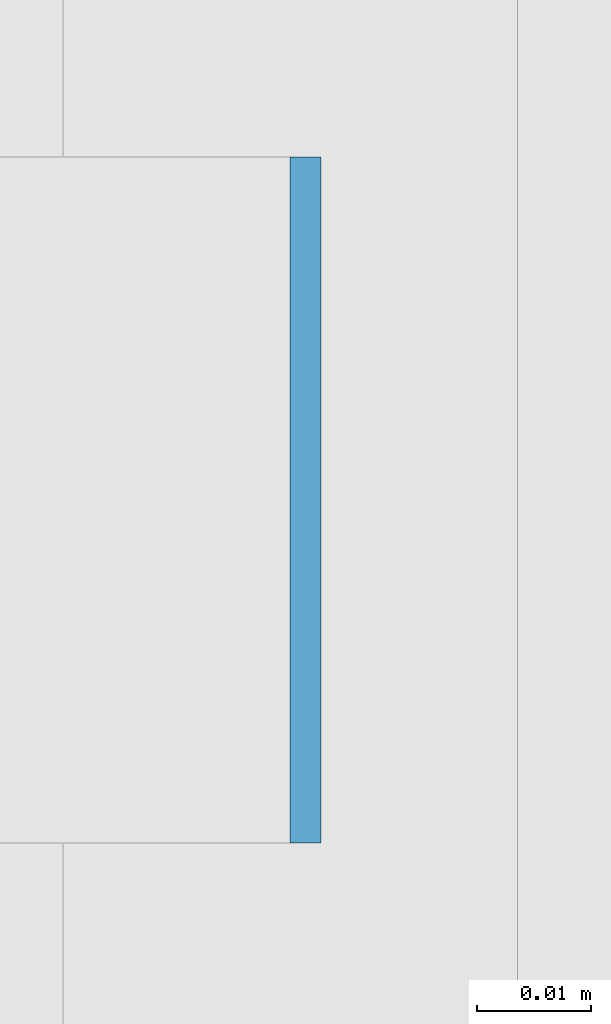
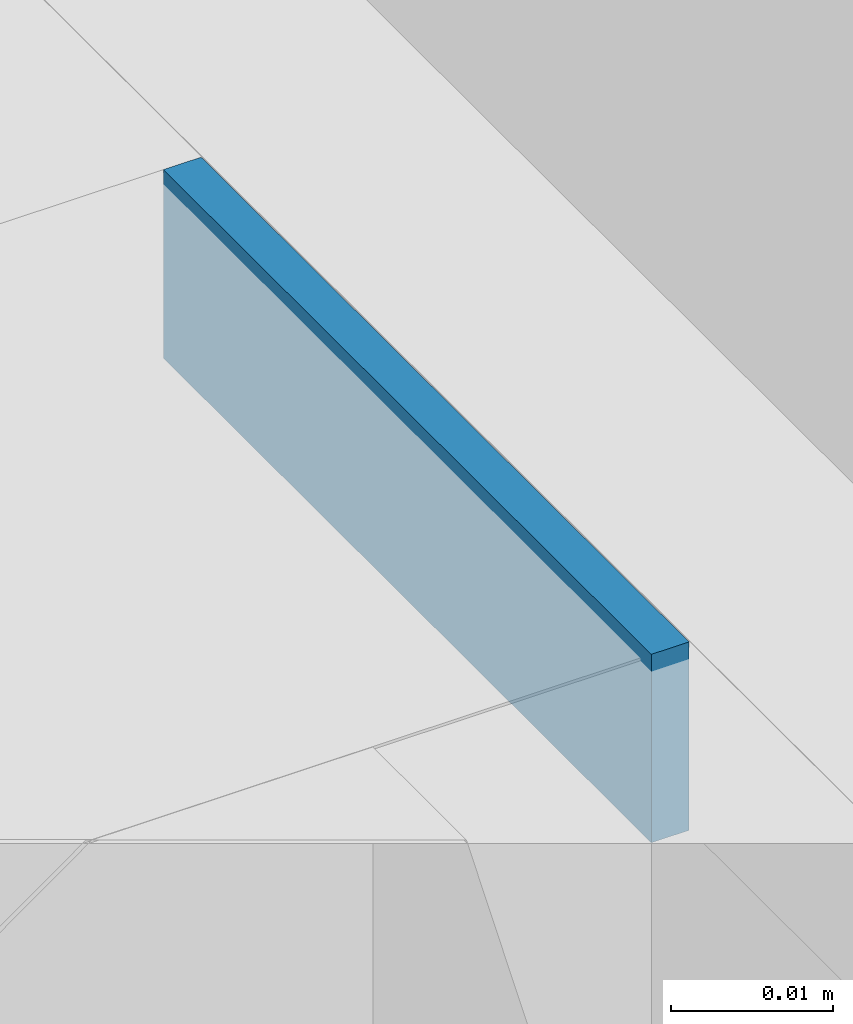
# One storey, part 419 of 646: 1 discrete accessory.
"""IFC4 building model written with IfcOpenShell, lengths in metres."""

from ifc_helpers import new_model, si_unit, direction, frame, origin, origin_2d, place, context, subcontext, project, spatial, rectangle, extrude, material, type_object, element, save


model = new_model("IFC4")

# Units and contexts
model_context = context("Model", 3, precision=1e-05, world=origin(), true_north=direction((0.0, 1.0)))
body_context = subcontext(model_context, "Body", "Model", "MODEL_VIEW")
ifc_project = project(units=[si_unit("LENGTHUNIT", "METRE"), si_unit("AREAUNIT", "SQUARE_METRE"), si_unit("VOLUMEUNIT", "CUBIC_METRE"), si_unit("PLANEANGLEUNIT", "RADIAN"), si_unit("MASSUNIT", "GRAM", prefix="KILO")], contexts=[model_context])

# Site, building, storey
site_placement = place(None, origin())
site = spatial("IfcSite", under=ifc_project, at=site_placement, CompositionType="ELEMENT")
building_placement = place(site_placement, origin())
building = spatial("IfcBuilding", under=site, at=building_placement, Name="Silverbay Arena", CompositionType="ELEMENT")
storey_placement = place(building_placement, frame((0.0, 0.0, 33.5)))
storey = spatial("IfcBuildingStorey", under=building, at=storey_placement, Name="L05", CompositionType="ELEMENT", Elevation=33.5)

# Discrete accessory
ifc_material = material(Name="Steel S355", Category="steel")
discrete_accessory_type = type_object("IfcDiscreteAccessoryType", Name="Steel bracket plate", PredefinedType="BRACKET", material=ifc_material)
discrete_accessory_placement = place(storey_placement, frame((53.871337890625, 130.300048828125, 12.98583984375), z_axis=(0.0, 0.0, 1.0), x_axis=(1.0, 0.0, 0.0)))
element("IfcDiscreteAccessory", 1, at=discrete_accessory_placement, inside=storey, type_object=discrete_accessory_type, Name="Curtain wall packing plate", PredefinedType="BRACKET", context=body_context, shape_type="SweptSolid", body=[
    extrude(rectangle(XDim=0.002685546875, YDim=0.06005859375, at=origin_2d()), origin(), (0.0, 0.0, 1.0), 0.01416015625),
])

save(model, "model.ifc")
